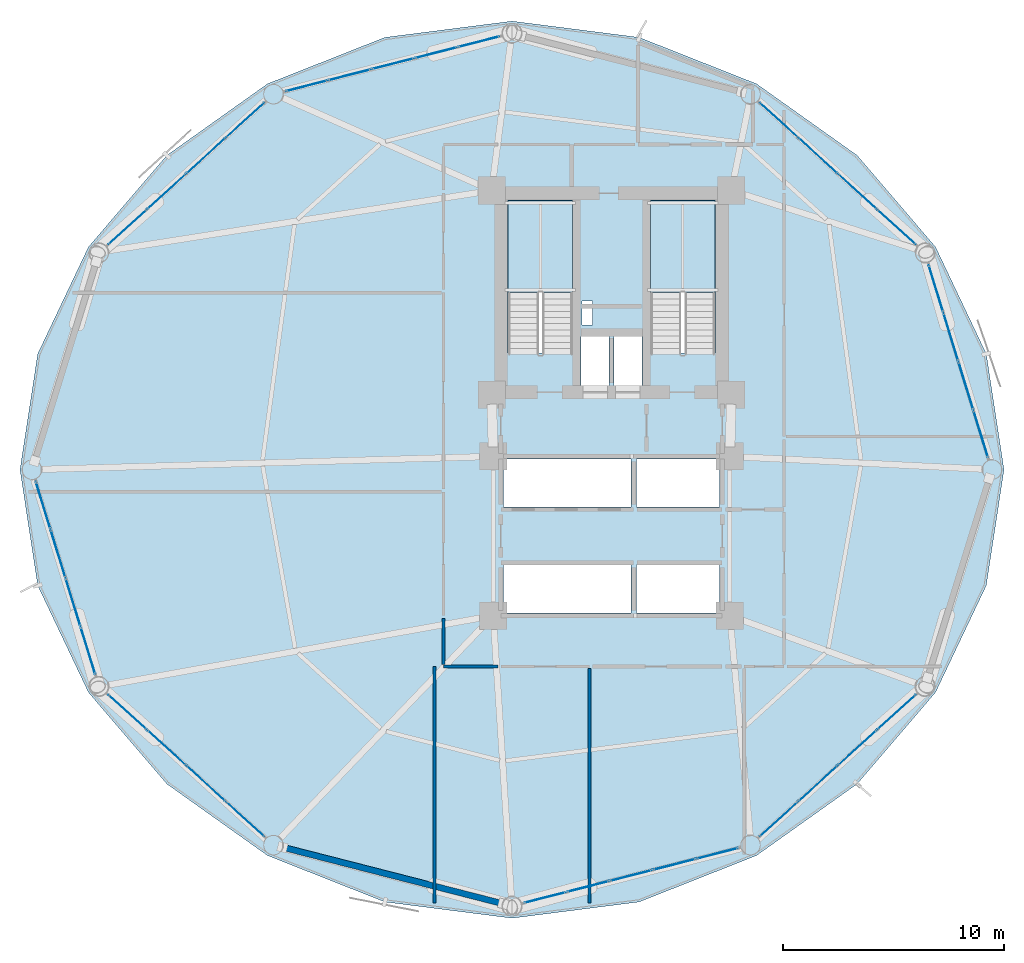
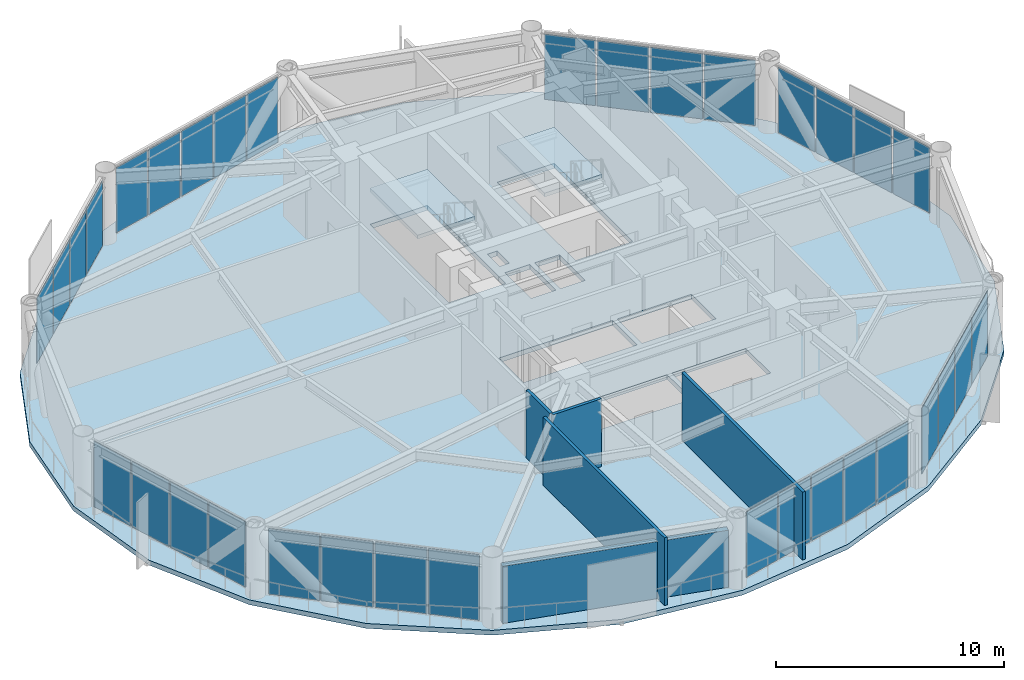
# One storey, part 19 of 25: 34 plates, 5 walls, 3 slabs, 10 elements without a shape of their own.
"""IFC4 building model written with IfcOpenShell, lengths in metres."""

from ifc_helpers import new_model, si_unit, direction, frame, frame_2d, origin, origin_2d, place, context, subcontext, project, spatial, polyline, rectangle, outline, extrude, source, transform, mapped, material, layer, layer_set, type_object, type_shapes, element, aggregate, save


model = new_model("IFC4")

# Units and contexts
model_context = context("Model", 3, precision=1e-05, world=origin(), true_north=direction((0.0, 1.0)))
body_context = subcontext(model_context, "Body", "Model", "MODEL_VIEW")
ifc_project = project(units=[si_unit("LENGTHUNIT", "METRE"), si_unit("AREAUNIT", "SQUARE_METRE"), si_unit("VOLUMEUNIT", "CUBIC_METRE"), si_unit("PLANEANGLEUNIT", "RADIAN"), si_unit("MASSUNIT", "GRAM", prefix="KILO")], contexts=[model_context])

# Site, building, storey
site_placement = place(None, origin())
site = spatial("IfcSite", under=ifc_project, at=site_placement, CompositionType="ELEMENT")
building_placement = place(site_placement, origin())
building = spatial("IfcBuilding", under=site, at=building_placement, Name="Varnakorn Sky Granary", CompositionType="ELEMENT")
storey_placement = place(building_placement, frame((0.0, 0.0, 70.5)))
storey = spatial("IfcBuildingStorey", under=building, at=storey_placement, Name="L17", CompositionType="ELEMENT", Elevation=70.5)

# Stair, slab
ifc_material_1 = material(Name="Concrete C40/50", Category="concrete")
stair_type = type_object("IfcStairType", Name="ST-MAIN-ASSEMBLY", PredefinedType="HALF_TURN_STAIR", material=ifc_material_1)
stair_1_placement = place(storey_placement, origin())
stair_1 = element("IfcStair", 1, at=stair_1_placement, inside=storey, type_object=stair_type, Name="L17 Protected Exit Stair ST-1", PredefinedType="HALF_TURN_STAIR")
ifc_layer_1 = layer(ifc_material_1, 0.199951171875, Name="Concrete C40/50")
ifc_layer_set_1 = layer_set([ifc_layer_1], Name="Concrete C40/50")
slab_type_1 = type_object("IfcSlabType", Name="ST-MAIN-LAND", PredefinedType="LANDING", material=ifc_layer_set_1)
slab_1_placement = place(storey_placement, frame((0.0, 0.0, 1.75)))
slab_1 = element("IfcSlab", 2, at=slab_1_placement, type_object=slab_type_1, Name="ST-1 landing 1", PredefinedType="LANDING", context=body_context, shape_type="SweptSolid", body=[
    extrude(outline(polyline([(1.239990234375, 8.0), (1.239990234375, 12.179931640625), (-1.669921875, 12.179931640625), (-1.669921875, 8.0), (1.239990234375, 8.0)])), origin(), (0.0, 0.0, 1.0), 0.199951171875),
])
aggregate(stair_1, [slab_1])

stair_2_placement = place(storey_placement, origin())
stair_2 = element("IfcStair", 3, at=stair_2_placement, inside=storey, type_object=stair_type, Name="L17 Protected Exit Stair ST-2", PredefinedType="HALF_TURN_STAIR")
slab_2_placement = place(storey_placement, frame((0.0, 0.0, 1.75)))
slab_2 = element("IfcSlab", 4, at=slab_2_placement, type_object=slab_type_1, Name="ST-2 landing 1", PredefinedType="LANDING", context=body_context, shape_type="SweptSolid", body=[
    extrude(outline(polyline([(7.679931640625, 8.0), (7.679931640625, 12.179931640625), (4.77001953125, 12.179931640625), (4.77001953125, 8.0), (7.679931640625, 8.0)])), origin(), (0.0, 0.0, 1.0), 0.199951171875),
])
aggregate(stair_2, [slab_2])

# Slab
ifc_material_2 = material(Name="Concrete C50/60", Category="concrete")
ifc_layer_2 = layer(ifc_material_2, 0.260009765625, Name="Concrete C50/60")
ifc_layer_set_2 = layer_set([ifc_layer_2], Name="Concrete C50/60")
slab_type_2 = type_object("IfcSlabType", Name="ST-SL-TWR-260", PredefinedType="FLOOR", material=ifc_layer_set_2)
slab_3_placement = place(storey_placement, frame((0.0, 0.0, -0.260009765625)))
element("IfcSlab", 5, at=slab_3_placement, inside=storey, type_object=slab_type_2, Name="Level L17 Structural Floor Slab", PredefinedType="FLOOR", context=body_context, shape_type="SweptSolid", body=[
    extrude(outline(polyline([(20.743896484375, 0.0), (19.942626953125, 5.23681640625), (17.64697265625, 10.072021484375), (14.1015625, 14.212158203125), (9.554443359375, 17.4453125), (4.24560546875, 19.54443359375), (-1.5, 20.279052734375), (-7.24560546875, 19.54443359375), (-12.554443359375, 17.4453125), (-17.1015625, 14.212158203125), (-20.64697265625, 10.072021484375), (-22.942626953125, 5.23681640625), (-23.743896484375, 0.0), (-22.942626953125, -5.23681640625), (-20.64697265625, -10.072021484375), (-17.1015625, -14.212158203125), (-12.554443359375, -17.4453125), (-7.24560546875, -19.54443359375), (-1.5, -20.279052734375), (4.24560546875, -19.54443359375), (9.554443359375, -17.4453125), (14.1015625, -14.212158203125), (17.64697265625, -10.072021484375), (19.942626953125, -5.23681640625), (20.743896484375, 0.0)]), holes=[polyline([(1.239990234375, 5.27490234375), (1.239990234375, 12.179931640625), (-1.669921875, 12.179931640625), (-1.669921875, 5.27490234375), (1.239990234375, 5.27490234375)]), polyline([(7.679931640625, 5.27490234375), (7.679931640625, 12.179931640625), (4.77001953125, 12.179931640625), (4.77001953125, 5.27490234375), (7.679931640625, 5.27490234375)]), polyline([(1.659912109375, 6.550048828125), (2.14990234375, 6.550048828125), (2.14990234375, 7.6201171875), (1.659912109375, 7.6201171875), (1.659912109375, 6.550048828125)]), polyline([(1.6201171875, 3.739990234375), (2.8798828125, 3.739990234375), (2.8798828125, 6.010009765625), (1.6201171875, 6.010009765625), (1.6201171875, 3.739990234375)]), polyline([(3.1201171875, 3.739990234375), (4.3798828125, 3.739990234375), (4.3798828125, 6.010009765625), (3.1201171875, 6.010009765625), (3.1201171875, 3.739990234375)]), polyline([(-1.8798828125, -1.679931640625), (3.8798828125, -1.679931640625), (3.8798828125, 0.47998046875), (-1.8798828125, 0.47998046875), (-1.8798828125, -1.679931640625)]), polyline([(4.1201171875, -1.679931640625), (7.8798828125, -1.679931640625), (7.8798828125, 0.47998046875), (4.1201171875, 0.47998046875), (4.1201171875, -1.679931640625)]), polyline([(-1.8798828125, -6.47998046875), (3.8798828125, -6.47998046875), (3.8798828125, -4.320068359375), (-1.8798828125, -4.320068359375), (-1.8798828125, -6.47998046875)]), polyline([(4.1201171875, -6.47998046875), (7.8798828125, -6.47998046875), (7.8798828125, -4.320068359375), (4.1201171875, -4.320068359375), (4.1201171875, -6.47998046875)])]), origin(), (0.0, 0.0, 1.0), 0.260009765625),
])

# Curtain wall, plates
ifc_material_3 = material(Name="Anodised Bronze Aluminium Alloy 6063-T6", Category="aluminium")
ifc_layer_3 = layer(ifc_material_3, 0.18994140625, Name="Anodised Bronze Aluminium Alloy 6063-T6")
ifc_layer_set_3 = layer_set([ifc_layer_3], Name="Anodised Bronze Aluminium Alloy 6063-T6")
curtain_wall_type = type_object("IfcCurtainWallType", Name="CW-FRM-1", PredefinedType="USERDEFINED", material=ifc_layer_set_3)
curtain_wall_1_placement = place(storey_placement, origin())
curtain_wall_1 = element("IfcCurtainWall", 6, at=curtain_wall_1_placement, inside=storey, type_object=curtain_wall_type, Name="Unitised Curtain Wall CW3 CW-L17-B01", ObjectType="CURTAIN WALL", PredefinedType="USERDEFINED")
ifc_material_4 = material(Name="Opaque Insulated Aluminium Shadow-Box Unit", Category="aluminium")
ifc_layer_4 = layer(ifc_material_4, 0.028076171875, Name="Opaque Insulated Aluminium Shadow-Box Unit")
ifc_layer_set_4 = layer_set([ifc_layer_4], Name="Opaque Insulated Aluminium Shadow-Box Unit")
plate_type = type_object("IfcPlateType", Name="CW-FRM-1-PNL", PredefinedType="CURTAIN_PANEL")
shared_shape_1 = source(origin(), body_context, "Body", "SweptSolid", [
    extrude(rectangle(XDim=2.234619140625, YDim=0.028076171875, at=origin_2d()), origin(), (0.0, 0.0, 1.0), 3.5),
])
plate_1_placement = place(storey_placement, frame((18.342529296875, 5.99951171875, 0.070068359375), z_axis=(0.0, 0.0, 1.0), x_axis=(0.29487238205, -0.955536644145, 0.0)))
plate_1 = element("IfcPlate", 7, at=plate_1_placement, type_object=plate_type, material=ifc_layer_set_4, Name="CW3 opaque insulated shadow-box unit 2.1", PredefinedType="CURTAIN_PANEL", context=body_context, shape_type="MappedRepresentation", body=[
    mapped(shared_shape_1, transform((0.0, 0.0, 0.0), x_axis=(1.0, 0.0, 0.0), y_axis=(0.0, 1.0, 0.0), z_axis=(0.0, 0.0, 1.0), scale=1.0)),
])
ifc_material_5 = material(Name="Low-E Tinted Laminated Glass", Category="glass")
ifc_layer_5 = layer(ifc_material_5, 0.028076171875, Name="Low-E Tinted Laminated Glass")
ifc_layer_set_5 = layer_set([ifc_layer_5], Name="Low-E Tinted Laminated Glass")
plate_2_placement = place(storey_placement, frame((19.022216796875, 3.79736328125, 0.070068359375), z_axis=(0.0, 0.0, 1.0), x_axis=(0.29487238205, -0.955536644145, 0.0)))
plate_2 = element("IfcPlate", 8, at=plate_2_placement, type_object=plate_type, material=ifc_layer_set_5, Name="CW3 vision glazing unit 3.1", PredefinedType="CURTAIN_PANEL", context=body_context, shape_type="MappedRepresentation", body=[
    mapped(shared_shape_1, transform((0.0, 0.0, 0.0), x_axis=(1.0, 0.0, 0.0), y_axis=(0.0, 1.0, 0.0), z_axis=(0.0, 0.0, 1.0), scale=1.0)),
])

curtain_wall_2_placement = place(storey_placement, origin())
curtain_wall_2 = element("IfcCurtainWall", 9, at=curtain_wall_2_placement, inside=storey, type_object=curtain_wall_type, Name="Unitised Curtain Wall CW3 CW-L17-B07", ObjectType="CURTAIN WALL", PredefinedType="USERDEFINED")
plate_3_placement = place(storey_placement, frame((-21.342529296875, -5.99951171875, 0.070068359375), z_axis=(0.0, 0.0, 1.0), x_axis=(-0.29487238205, 0.955536644145, 0.0)))
plate_3 = element("IfcPlate", 10, at=plate_3_placement, type_object=plate_type, material=ifc_layer_set_4, Name="CW3 opaque insulated shadow-box unit 2.1", PredefinedType="CURTAIN_PANEL", context=body_context, shape_type="MappedRepresentation", body=[
    mapped(shared_shape_1, transform((0.0, 0.0, 0.0), x_axis=(1.0, 0.0, 0.0), y_axis=(0.0, 1.0, 0.0), z_axis=(0.0, 0.0, 1.0), scale=1.0)),
])
plate_4_placement = place(storey_placement, frame((-22.022216796875, -3.79736328125, 0.070068359375), z_axis=(0.0, 0.0, 1.0), x_axis=(-0.29487238205, 0.955536644145, 0.0)))
plate_4 = element("IfcPlate", 11, at=plate_4_placement, type_object=plate_type, material=ifc_layer_set_5, Name="CW3 vision glazing unit 3.1", PredefinedType="CURTAIN_PANEL", context=body_context, shape_type="MappedRepresentation", body=[
    mapped(shared_shape_1, transform((0.0, 0.0, 0.0), x_axis=(1.0, 0.0, 0.0), y_axis=(0.0, 1.0, 0.0), z_axis=(0.0, 0.0, 1.0), scale=1.0)),
])

# Plate
shared_shape_2 = source(origin(), body_context, "Body", "SweptSolid", [
    extrude(rectangle(XDim=2.19970703125, YDim=0.028076171875, at=origin_2d()), origin(), (0.0, 0.0, 1.0), 3.5),
])
plate_5_placement = place(storey_placement, frame((17.66796875, 8.18505859375, 0.070068359375), z_axis=(0.0, 0.0, 1.0), x_axis=(0.29487238205, -0.955536644145, 0.0)))
plate_5 = element("IfcPlate", 12, at=plate_5_placement, type_object=plate_type, material=ifc_layer_set_4, Name="CW3 opaque insulated shadow-box unit 1.1", PredefinedType="CURTAIN_PANEL", context=body_context, shape_type="MappedRepresentation", body=[
    mapped(shared_shape_2, transform((0.0, 0.0, 0.0), x_axis=(1.0, 0.0, 0.0), y_axis=(0.0, 1.0, 0.0), z_axis=(0.0, 0.0, 1.0), scale=1.0)),
])

plate_6_placement = place(storey_placement, frame((19.696533203125, 1.61181640625, 0.070068359375), z_axis=(0.0, 0.0, 1.0), x_axis=(0.29487238205, -0.955536644145, 0.0)))
plate_6 = element("IfcPlate", 13, at=plate_6_placement, type_object=plate_type, material=ifc_layer_set_5, Name="CW3 vision glazing unit 4.1", PredefinedType="CURTAIN_PANEL", context=body_context, shape_type="MappedRepresentation", body=[
    mapped(shared_shape_2, transform((0.0, 0.0, 0.0), x_axis=(1.0, 0.0, 0.0), y_axis=(0.0, 1.0, 0.0), z_axis=(0.0, 0.0, 1.0), scale=1.0)),
])

aggregate(curtain_wall_1, [plate_5, plate_1, plate_2, plate_6])

plate_7_placement = place(storey_placement, frame((-20.66796875, -8.18505859375, 0.070068359375), z_axis=(0.0, 0.0, 1.0), x_axis=(-0.29487238205, 0.955536644145, 0.0)))
plate_7 = element("IfcPlate", 14, at=plate_7_placement, type_object=plate_type, material=ifc_layer_set_4, Name="CW3 opaque insulated shadow-box unit 1.1", PredefinedType="CURTAIN_PANEL", context=body_context, shape_type="MappedRepresentation", body=[
    mapped(shared_shape_2, transform((0.0, 0.0, 0.0), x_axis=(1.0, 0.0, 0.0), y_axis=(0.0, 1.0, 0.0), z_axis=(0.0, 0.0, 1.0), scale=1.0)),
])

plate_8_placement = place(storey_placement, frame((-22.696533203125, -1.61181640625, 0.070068359375), z_axis=(0.0, 0.0, 1.0), x_axis=(-0.29487238205, 0.955536644145, 0.0)))
plate_8 = element("IfcPlate", 15, at=plate_8_placement, type_object=plate_type, material=ifc_layer_set_5, Name="CW3 vision glazing unit 4.1", PredefinedType="CURTAIN_PANEL", context=body_context, shape_type="MappedRepresentation", body=[
    mapped(shared_shape_2, transform((0.0, 0.0, 0.0), x_axis=(1.0, 0.0, 0.0), y_axis=(0.0, 1.0, 0.0), z_axis=(0.0, 0.0, 1.0), scale=1.0)),
])

aggregate(curtain_wall_2, [plate_7, plate_3, plate_4, plate_8])

# Curtain wall, plates
curtain_wall_3_placement = place(storey_placement, origin())
curtain_wall_3 = element("IfcCurtainWall", 16, at=curtain_wall_3_placement, inside=storey, type_object=curtain_wall_type, Name="Unitised Curtain Wall CW3 CW-L17-B02", ObjectType="CURTAIN WALL", PredefinedType="USERDEFINED")
shared_shape_3 = source(origin(), body_context, "Body", "SweptSolid", [
    extrude(rectangle(XDim=2.30224609375, YDim=0.028076171875, at=origin_2d()), origin(), (0.0, 0.0, 1.0), 3.5),
])
plate_9_placement = place(storey_placement, frame((10.565673828125, 15.7998046875, 0.070068359375), z_axis=(0.0, 0.0, 1.0), x_axis=(0.740022301764, -0.672582331683, 0.0)))
plate_9 = element("IfcPlate", 17, at=plate_9_placement, type_object=plate_type, material=ifc_layer_set_5, Name="CW3 vision glazing unit 1.1", PredefinedType="CURTAIN_PANEL", context=body_context, shape_type="MappedRepresentation", body=[
    mapped(shared_shape_3, transform((0.0, 0.0, 0.0), x_axis=(1.0, 0.0, 0.0), y_axis=(0.0, 1.0, 0.0), z_axis=(0.0, 0.0, 1.0), scale=1.0)),
])
plate_10_placement = place(storey_placement, frame((15.88427734375, 10.966064453125, 0.070068359375), z_axis=(0.0, 0.0, 1.0), x_axis=(0.740022301764, -0.672582331683, 0.0)))
plate_10 = element("IfcPlate", 18, at=plate_10_placement, type_object=plate_type, material=ifc_layer_set_4, Name="CW3 opaque insulated shadow-box unit 4.1", PredefinedType="CURTAIN_PANEL", context=body_context, shape_type="MappedRepresentation", body=[
    mapped(shared_shape_3, transform((0.0, 0.0, 0.0), x_axis=(1.0, 0.0, 0.0), y_axis=(0.0, 1.0, 0.0), z_axis=(0.0, 0.0, 1.0), scale=1.0)),
])

curtain_wall_4_placement = place(storey_placement, origin())
curtain_wall_4 = element("IfcCurtainWall", 19, at=curtain_wall_4_placement, inside=storey, type_object=curtain_wall_type, Name="Unitised Curtain Wall CW3 CW-L17-B05", ObjectType="CURTAIN WALL", PredefinedType="USERDEFINED")
plate_11_placement = place(storey_placement, frame((-18.88427734375, 10.966064453125, 0.070068359375), z_axis=(0.0, 0.0, 1.0), x_axis=(0.740022301764, 0.672582331683, 0.0)))
plate_11 = element("IfcPlate", 20, at=plate_11_placement, type_object=plate_type, material=ifc_layer_set_4, Name="CW3 opaque insulated shadow-box unit 1.1", PredefinedType="CURTAIN_PANEL", context=body_context, shape_type="MappedRepresentation", body=[
    mapped(shared_shape_3, transform((0.0, 0.0, 0.0), x_axis=(1.0, 0.0, 0.0), y_axis=(0.0, 1.0, 0.0), z_axis=(0.0, 0.0, 1.0), scale=1.0)),
])
plate_12_placement = place(storey_placement, frame((-13.565673828125, 15.7998046875, 0.070068359375), z_axis=(0.0, 0.0, 1.0), x_axis=(0.740022301764, 0.672582331683, 0.0)))
plate_12 = element("IfcPlate", 21, at=plate_12_placement, type_object=plate_type, material=ifc_layer_set_5, Name="CW3 vision glazing unit 4.1", PredefinedType="CURTAIN_PANEL", context=body_context, shape_type="MappedRepresentation", body=[
    mapped(shared_shape_3, transform((0.0, 0.0, 0.0), x_axis=(1.0, 0.0, 0.0), y_axis=(0.0, 1.0, 0.0), z_axis=(0.0, 0.0, 1.0), scale=1.0)),
])

curtain_wall_5_placement = place(storey_placement, origin())
curtain_wall_5 = element("IfcCurtainWall", 22, at=curtain_wall_5_placement, inside=storey, type_object=curtain_wall_type, Name="Unitised Curtain Wall CW3 CW-L17-B08", ObjectType="CURTAIN WALL", PredefinedType="USERDEFINED")
plate_13_placement = place(storey_placement, frame((-13.565673828125, -15.7998046875, 0.070068359375), z_axis=(0.0, 0.0, 1.0), x_axis=(-0.740022301764, 0.672582331683, 0.0)))
plate_13 = element("IfcPlate", 23, at=plate_13_placement, type_object=plate_type, material=ifc_layer_set_5, Name="CW3 vision glazing unit 1.1", PredefinedType="CURTAIN_PANEL", context=body_context, shape_type="MappedRepresentation", body=[
    mapped(shared_shape_3, transform((0.0, 0.0, 0.0), x_axis=(1.0, 0.0, 0.0), y_axis=(0.0, 1.0, 0.0), z_axis=(0.0, 0.0, 1.0), scale=1.0)),
])
plate_14_placement = place(storey_placement, frame((-18.88427734375, -10.966064453125, 0.070068359375), z_axis=(0.0, 0.0, 1.0), x_axis=(-0.740022301764, 0.672582331683, 0.0)))
plate_14 = element("IfcPlate", 24, at=plate_14_placement, type_object=plate_type, material=ifc_layer_set_4, Name="CW3 opaque insulated shadow-box unit 4.1", PredefinedType="CURTAIN_PANEL", context=body_context, shape_type="MappedRepresentation", body=[
    mapped(shared_shape_3, transform((0.0, 0.0, 0.0), x_axis=(1.0, 0.0, 0.0), y_axis=(0.0, 1.0, 0.0), z_axis=(0.0, 0.0, 1.0), scale=1.0)),
])

curtain_wall_6_placement = place(storey_placement, origin())
curtain_wall_6 = element("IfcCurtainWall", 25, at=curtain_wall_6_placement, inside=storey, type_object=curtain_wall_type, Name="Unitised Curtain Wall CW3 CW-L17-B11", ObjectType="CURTAIN WALL", PredefinedType="USERDEFINED")
plate_15_placement = place(storey_placement, frame((15.88427734375, -10.966064453125, 0.070068359375), z_axis=(0.0, 0.0, 1.0), x_axis=(-0.740022301764, -0.672582331683, 0.0)))
plate_15 = element("IfcPlate", 26, at=plate_15_placement, type_object=plate_type, material=ifc_layer_set_4, Name="CW3 opaque insulated shadow-box unit 1.1", PredefinedType="CURTAIN_PANEL", context=body_context, shape_type="MappedRepresentation", body=[
    mapped(shared_shape_3, transform((0.0, 0.0, 0.0), x_axis=(1.0, 0.0, 0.0), y_axis=(0.0, 1.0, 0.0), z_axis=(0.0, 0.0, 1.0), scale=1.0)),
])
plate_16_placement = place(storey_placement, frame((10.565673828125, -15.7998046875, 0.070068359375), z_axis=(0.0, 0.0, 1.0), x_axis=(-0.740022301764, -0.672582331683, 0.0)))
plate_16 = element("IfcPlate", 27, at=plate_16_placement, type_object=plate_type, material=ifc_layer_set_5, Name="CW3 vision glazing unit 4.1", PredefinedType="CURTAIN_PANEL", context=body_context, shape_type="MappedRepresentation", body=[
    mapped(shared_shape_3, transform((0.0, 0.0, 0.0), x_axis=(1.0, 0.0, 0.0), y_axis=(0.0, 1.0, 0.0), z_axis=(0.0, 0.0, 1.0), scale=1.0)),
])

# Plate
shared_shape_4 = source(origin(), body_context, "Body", "SweptSolid", [
    extrude(rectangle(XDim=2.33740234375, YDim=0.028076171875, at=origin_2d()), origin(), (0.0, 0.0, 1.0), 3.5),
])
plate_17_placement = place(storey_placement, frame((12.334228515625, 14.192626953125, 0.070068359375), z_axis=(0.0, 0.0, 1.0), x_axis=(0.740022301764, -0.672582331683, 0.0)))
plate_17 = element("IfcPlate", 28, at=plate_17_placement, type_object=plate_type, material=ifc_layer_set_5, Name="CW3 vision glazing unit 2.1", PredefinedType="CURTAIN_PANEL", context=body_context, shape_type="MappedRepresentation", body=[
    mapped(shared_shape_4, transform((0.0, 0.0, 0.0), x_axis=(1.0, 0.0, 0.0), y_axis=(0.0, 1.0, 0.0), z_axis=(0.0, 0.0, 1.0), scale=1.0)),
])

plate_18_placement = place(storey_placement, frame((14.11572265625, 12.573486328125, 0.070068359375), z_axis=(0.0, 0.0, 1.0), x_axis=(0.740022301764, -0.672582331683, 0.0)))
plate_18 = element("IfcPlate", 29, at=plate_18_placement, type_object=plate_type, material=ifc_layer_set_4, Name="CW3 opaque insulated shadow-box unit 3.1", PredefinedType="CURTAIN_PANEL", context=body_context, shape_type="MappedRepresentation", body=[
    mapped(shared_shape_4, transform((0.0, 0.0, 0.0), x_axis=(1.0, 0.0, 0.0), y_axis=(0.0, 1.0, 0.0), z_axis=(0.0, 0.0, 1.0), scale=1.0)),
])

aggregate(curtain_wall_3, [plate_9, plate_17, plate_18, plate_10])

plate_19_placement = place(storey_placement, frame((-17.11572265625, 12.573486328125, 0.070068359375), z_axis=(0.0, 0.0, 1.0), x_axis=(0.740022301764, 0.672582331683, 0.0)))
plate_19 = element("IfcPlate", 30, at=plate_19_placement, type_object=plate_type, material=ifc_layer_set_4, Name="CW3 opaque insulated shadow-box unit 2.1", PredefinedType="CURTAIN_PANEL", context=body_context, shape_type="MappedRepresentation", body=[
    mapped(shared_shape_4, transform((0.0, 0.0, 0.0), x_axis=(1.0, 0.0, 0.0), y_axis=(0.0, 1.0, 0.0), z_axis=(0.0, 0.0, 1.0), scale=1.0)),
])

plate_20_placement = place(storey_placement, frame((-15.334228515625, 14.192626953125, 0.070068359375), z_axis=(0.0, 0.0, 1.0), x_axis=(0.740022301764, 0.672582331683, 0.0)))
plate_20 = element("IfcPlate", 31, at=plate_20_placement, type_object=plate_type, material=ifc_layer_set_5, Name="CW3 vision glazing unit 3.1", PredefinedType="CURTAIN_PANEL", context=body_context, shape_type="MappedRepresentation", body=[
    mapped(shared_shape_4, transform((0.0, 0.0, 0.0), x_axis=(1.0, 0.0, 0.0), y_axis=(0.0, 1.0, 0.0), z_axis=(0.0, 0.0, 1.0), scale=1.0)),
])

aggregate(curtain_wall_4, [plate_11, plate_19, plate_20, plate_12])

plate_21_placement = place(storey_placement, frame((-15.334228515625, -14.192626953125, 0.070068359375), z_axis=(0.0, 0.0, 1.0), x_axis=(-0.740022301764, 0.672582331683, 0.0)))
plate_21 = element("IfcPlate", 32, at=plate_21_placement, type_object=plate_type, material=ifc_layer_set_5, Name="CW3 vision glazing unit 2.1", PredefinedType="CURTAIN_PANEL", context=body_context, shape_type="MappedRepresentation", body=[
    mapped(shared_shape_4, transform((0.0, 0.0, 0.0), x_axis=(1.0, 0.0, 0.0), y_axis=(0.0, 1.0, 0.0), z_axis=(0.0, 0.0, 1.0), scale=1.0)),
])

plate_22_placement = place(storey_placement, frame((-17.11572265625, -12.573486328125, 0.070068359375), z_axis=(0.0, 0.0, 1.0), x_axis=(-0.740022301764, 0.672582331683, 0.0)))
plate_22 = element("IfcPlate", 33, at=plate_22_placement, type_object=plate_type, material=ifc_layer_set_4, Name="CW3 opaque insulated shadow-box unit 3.1", PredefinedType="CURTAIN_PANEL", context=body_context, shape_type="MappedRepresentation", body=[
    mapped(shared_shape_4, transform((0.0, 0.0, 0.0), x_axis=(1.0, 0.0, 0.0), y_axis=(0.0, 1.0, 0.0), z_axis=(0.0, 0.0, 1.0), scale=1.0)),
])

aggregate(curtain_wall_5, [plate_13, plate_21, plate_22, plate_14])

plate_23_placement = place(storey_placement, frame((14.11572265625, -12.573486328125, 0.070068359375), z_axis=(0.0, 0.0, 1.0), x_axis=(-0.740022301764, -0.672582331683, 0.0)))
plate_23 = element("IfcPlate", 34, at=plate_23_placement, type_object=plate_type, material=ifc_layer_set_4, Name="CW3 opaque insulated shadow-box unit 2.1", PredefinedType="CURTAIN_PANEL", context=body_context, shape_type="MappedRepresentation", body=[
    mapped(shared_shape_4, transform((0.0, 0.0, 0.0), x_axis=(1.0, 0.0, 0.0), y_axis=(0.0, 1.0, 0.0), z_axis=(0.0, 0.0, 1.0), scale=1.0)),
])

plate_24_placement = place(storey_placement, frame((12.334228515625, -14.192626953125, 0.070068359375), z_axis=(0.0, 0.0, 1.0), x_axis=(-0.740022301764, -0.672582331683, 0.0)))
plate_24 = element("IfcPlate", 35, at=plate_24_placement, type_object=plate_type, material=ifc_layer_set_5, Name="CW3 vision glazing unit 3.1", PredefinedType="CURTAIN_PANEL", context=body_context, shape_type="MappedRepresentation", body=[
    mapped(shared_shape_4, transform((0.0, 0.0, 0.0), x_axis=(1.0, 0.0, 0.0), y_axis=(0.0, 1.0, 0.0), z_axis=(0.0, 0.0, 1.0), scale=1.0)),
])

aggregate(curtain_wall_6, [plate_15, plate_23, plate_24, plate_16])

# Curtain wall, plates
curtain_wall_7_placement = place(storey_placement, origin())
curtain_wall_7 = element("IfcCurtainWall", 36, at=curtain_wall_7_placement, inside=storey, type_object=curtain_wall_type, Name="Unitised Curtain Wall CW3 CW-L17-B04", ObjectType="CURTAIN WALL", PredefinedType="USERDEFINED")
shared_shape_5 = source(origin(), body_context, "Body", "SweptSolid", [
    extrude(rectangle(XDim=1.91357421875, YDim=0.028076171875, at=origin_2d()), origin(), (0.0, 0.0, 1.0), 3.5),
])
plate_25_placement = place(storey_placement, frame((-10.783935546875, 17.351806640625, 0.070068359375), z_axis=(0.0, 0.0, 1.0), x_axis=(0.968746141095, 0.248054256389, 0.0)))
plate_25 = element("IfcPlate", 37, at=plate_25_placement, type_object=plate_type, material=ifc_layer_set_5, Name="CW3 vision glazing unit 1.1", PredefinedType="CURTAIN_PANEL", context=body_context, shape_type="MappedRepresentation", body=[
    mapped(shared_shape_5, transform((0.0, 0.0, 0.0), x_axis=(1.0, 0.0, 0.0), y_axis=(0.0, 1.0, 0.0), z_axis=(0.0, 0.0, 1.0), scale=1.0)),
])
plate_26_placement = place(storey_placement, frame((-2.99560546875, 19.34619140625, 0.070068359375), z_axis=(0.0, 0.0, 1.0), x_axis=(0.968746141095, 0.248054256389, 0.0)))
plate_26 = element("IfcPlate", 38, at=plate_26_placement, type_object=plate_type, material=ifc_layer_set_4, Name="CW3 opaque insulated shadow-box unit 5.1", PredefinedType="CURTAIN_PANEL", context=body_context, shape_type="MappedRepresentation", body=[
    mapped(shared_shape_5, transform((0.0, 0.0, 0.0), x_axis=(1.0, 0.0, 0.0), y_axis=(0.0, 1.0, 0.0), z_axis=(0.0, 0.0, 1.0), scale=1.0)),
])

curtain_wall_8_placement = place(storey_placement, origin())
curtain_wall_8 = element("IfcCurtainWall", 39, at=curtain_wall_8_placement, inside=storey, type_object=curtain_wall_type, Name="Unitised Curtain Wall CW3 CW-L17-B10", ObjectType="CURTAIN WALL", PredefinedType="USERDEFINED")
plate_27_placement = place(storey_placement, frame((7.783935546875, -17.351806640625, 0.070068359375), z_axis=(0.0, 0.0, 1.0), x_axis=(-0.968746141095, -0.248054256389, 0.0)))
plate_27 = element("IfcPlate", 40, at=plate_27_placement, type_object=plate_type, material=ifc_layer_set_5, Name="CW3 vision glazing unit 1.1", PredefinedType="CURTAIN_PANEL", context=body_context, shape_type="MappedRepresentation", body=[
    mapped(shared_shape_5, transform((0.0, 0.0, 0.0), x_axis=(1.0, 0.0, 0.0), y_axis=(0.0, 1.0, 0.0), z_axis=(0.0, 0.0, 1.0), scale=1.0)),
])
plate_28_placement = place(storey_placement, frame((-0.00439453125, -19.34619140625, 0.070068359375), z_axis=(0.0, 0.0, 1.0), x_axis=(-0.968746141095, -0.248054256389, 0.0)))
plate_28 = element("IfcPlate", 41, at=plate_28_placement, type_object=plate_type, material=ifc_layer_set_4, Name="CW3 opaque insulated shadow-box unit 5.1", PredefinedType="CURTAIN_PANEL", context=body_context, shape_type="MappedRepresentation", body=[
    mapped(shared_shape_5, transform((0.0, 0.0, 0.0), x_axis=(1.0, 0.0, 0.0), y_axis=(0.0, 1.0, 0.0), z_axis=(0.0, 0.0, 1.0), scale=1.0)),
])

# Plate
shared_shape_6 = source(origin(), body_context, "Body", "SweptSolid", [
    extrude(rectangle(XDim=1.94873046875, YDim=0.028076171875, at=origin_2d()), origin(), (0.0, 0.0, 1.0), 3.5),
])
type_shapes(plate_type, [shared_shape_1, shared_shape_2, shared_shape_3, shared_shape_4, shared_shape_5, shared_shape_6])
plate_29_placement = place(storey_placement, frame((-8.84521484375, 17.84814453125, 0.070068359375), z_axis=(0.0, 0.0, 1.0), x_axis=(0.968746141095, 0.248054256389, 0.0)))
plate_29 = element("IfcPlate", 42, at=plate_29_placement, type_object=plate_type, material=ifc_layer_set_5, Name="CW3 vision glazing unit 2.1", PredefinedType="CURTAIN_PANEL", context=body_context, shape_type="MappedRepresentation", body=[
    mapped(shared_shape_6, transform((0.0, 0.0, 0.0), x_axis=(1.0, 0.0, 0.0), y_axis=(0.0, 1.0, 0.0), z_axis=(0.0, 0.0, 1.0), scale=1.0)),
])

plate_30_placement = place(storey_placement, frame((-6.8896484375, 18.348876953125, 0.070068359375), z_axis=(0.0, 0.0, 1.0), x_axis=(0.968746141095, 0.248054256389, 0.0)))
plate_30 = element("IfcPlate", 43, at=plate_30_placement, type_object=plate_type, material=ifc_layer_set_5, Name="CW3 vision glazing unit 3.1", PredefinedType="CURTAIN_PANEL", context=body_context, shape_type="MappedRepresentation", body=[
    mapped(shared_shape_6, transform((0.0, 0.0, 0.0), x_axis=(1.0, 0.0, 0.0), y_axis=(0.0, 1.0, 0.0), z_axis=(0.0, 0.0, 1.0), scale=1.0)),
])

plate_31_placement = place(storey_placement, frame((-4.93408203125, 18.849609375, 0.070068359375), z_axis=(0.0, 0.0, 1.0), x_axis=(0.968746141095, 0.248054256389, 0.0)))
plate_31 = element("IfcPlate", 44, at=plate_31_placement, type_object=plate_type, material=ifc_layer_set_4, Name="CW3 opaque insulated shadow-box unit 4.1", PredefinedType="CURTAIN_PANEL", context=body_context, shape_type="MappedRepresentation", body=[
    mapped(shared_shape_6, transform((0.0, 0.0, 0.0), x_axis=(1.0, 0.0, 0.0), y_axis=(0.0, 1.0, 0.0), z_axis=(0.0, 0.0, 1.0), scale=1.0)),
])

aggregate(curtain_wall_7, [plate_25, plate_29, plate_30, plate_31, plate_26])

plate_32_placement = place(storey_placement, frame((5.84521484375, -17.84814453125, 0.070068359375), z_axis=(0.0, 0.0, 1.0), x_axis=(-0.968746141095, -0.248054256389, 0.0)))
plate_32 = element("IfcPlate", 45, at=plate_32_placement, type_object=plate_type, material=ifc_layer_set_5, Name="CW3 vision glazing unit 2.1", PredefinedType="CURTAIN_PANEL", context=body_context, shape_type="MappedRepresentation", body=[
    mapped(shared_shape_6, transform((0.0, 0.0, 0.0), x_axis=(1.0, 0.0, 0.0), y_axis=(0.0, 1.0, 0.0), z_axis=(0.0, 0.0, 1.0), scale=1.0)),
])

plate_33_placement = place(storey_placement, frame((3.8896484375, -18.348876953125, 0.070068359375), z_axis=(0.0, 0.0, 1.0), x_axis=(-0.968746141095, -0.248054256389, 0.0)))
plate_33 = element("IfcPlate", 46, at=plate_33_placement, type_object=plate_type, material=ifc_layer_set_5, Name="CW3 vision glazing unit 3.1", PredefinedType="CURTAIN_PANEL", context=body_context, shape_type="MappedRepresentation", body=[
    mapped(shared_shape_6, transform((0.0, 0.0, 0.0), x_axis=(1.0, 0.0, 0.0), y_axis=(0.0, 1.0, 0.0), z_axis=(0.0, 0.0, 1.0), scale=1.0)),
])

plate_34_placement = place(storey_placement, frame((1.93408203125, -18.849609375, 0.070068359375), z_axis=(0.0, 0.0, 1.0), x_axis=(-0.968746141095, -0.248054256389, 0.0)))
plate_34 = element("IfcPlate", 47, at=plate_34_placement, type_object=plate_type, material=ifc_layer_set_4, Name="CW3 opaque insulated shadow-box unit 4.1", PredefinedType="CURTAIN_PANEL", context=body_context, shape_type="MappedRepresentation", body=[
    mapped(shared_shape_6, transform((0.0, 0.0, 0.0), x_axis=(1.0, 0.0, 0.0), y_axis=(0.0, 1.0, 0.0), z_axis=(0.0, 0.0, 1.0), scale=1.0)),
])

aggregate(curtain_wall_8, [plate_27, plate_32, plate_33, plate_34, plate_28])

# Walls
ifc_material_6 = material(Name="Precast concrete C40/50", Category="concrete")
ifc_layer_6 = layer(ifc_material_6, 0.280029296875, Name="Precast concrete C40/50")
ifc_layer_set_6 = layer_set([ifc_layer_6], Name="Precast concrete C40/50")
wall_type_1 = type_object("IfcWallType", Name="WT-EW-CRN-280", PredefinedType="SOLIDWALL", material=ifc_layer_set_6)
wall_1_placement = place(storey_placement, frame((-1.899169921875, -19.626708984375, 0.0), z_axis=(0.0, 0.0, 1.0), x_axis=(-0.968748301497, 0.248045819046, 0.0)))
element("IfcWall", 48, at=wall_1_placement, inside=storey, type_object=wall_type_1, Name="Agritech Insulated Precast Facade Wall L17-P09", PredefinedType="SOLIDWALL", context=body_context, shape_type="SweptSolid", body=[
    extrude(rectangle(XDim=10.30322265625, YDim=0.280029296875, at=frame_2d((5.151611328125, 0.0))), origin(), (0.0, 0.0, 1.0), 3.06005859375),
])
ifc_material_7 = material(Name="Gypsum Plasterboard on Steel Stud", Category="steel")
ifc_layer_7 = layer(ifc_material_7, 0.14990234375, Name="Gypsum Plasterboard on Steel Stud")
ifc_layer_set_7 = layer_set([ifc_layer_7], Name="Gypsum Plasterboard on Steel Stud")
wall_type_2 = type_object("IfcWallType", Name="WT-PART-150", PredefinedType="PARTITIONING", material=ifc_layer_set_7)
wall_2_placement = place(storey_placement, frame((-4.60009765625, -8.89990234375, 0.0), z_axis=(0.0, 0.0, 1.0), x_axis=(1.0, 0.0, 0.0)))
element("IfcWall", 49, at=wall_2_placement, inside=storey, type_object=wall_type_2, Name="Interior Partition Wall L17-034", PredefinedType="PARTITIONING", context=body_context, shape_type="SweptSolid", body=[
    extrude(rectangle(XDim=2.465087890625, YDim=0.14990234375, at=frame_2d((1.232421875, 0.0))), origin(), (0.0, 0.0, 1.0), 3.639892578125),
])
wall_3_placement = place(storey_placement, frame((2.0, -8.985107421875, 0.0), z_axis=(0.0, 0.0, 1.0), x_axis=(0.0, -1.0, 0.0)))
element("IfcWall", 50, at=wall_3_placement, inside=storey, type_object=wall_type_2, Name="Interior Partition Wall L17-035", PredefinedType="PARTITIONING", context=body_context, shape_type="SweptSolid", body=[
    extrude(rectangle(XDim=10.60693359375, YDim=0.14990234375, at=frame_2d((5.303466796875, 0.0))), origin(), (0.0, 0.0, 1.0), 3.639892578125),
])
wall_4_placement = place(storey_placement, frame((-5.0, -19.592041015625, 0.0), z_axis=(0.0, 0.0, 1.0), x_axis=(0.0, 1.0, 0.0)))
element("IfcWall", 51, at=wall_4_placement, inside=storey, type_object=wall_type_2, Name="Interior Partition Wall L17-036", PredefinedType="PARTITIONING", context=body_context, shape_type="SweptSolid", body=[
    extrude(rectangle(XDim=10.692138671875, YDim=0.14990234375, at=frame_2d((5.34619140625, 0.0))), origin(), (0.0, 0.0, 1.0), 3.639892578125),
])
wall_5_placement = place(storey_placement, frame((-4.60009765625, -6.735107421875, 0.0), z_axis=(0.0, 0.0, 1.0), x_axis=(0.0, -1.0, 0.0)))
element("IfcWall", 52, at=wall_5_placement, inside=storey, type_object=wall_type_2, Name="Interior Partition Wall L17-040", PredefinedType="PARTITIONING", context=body_context, shape_type="SweptSolid", body=[
    extrude(rectangle(XDim=2.079833984375, YDim=0.14990234375, at=frame_2d((1.0400390625, 0.0))), origin(), (0.0, 0.0, 1.0), 3.639892578125),
])

save(model, "model.ifc")
